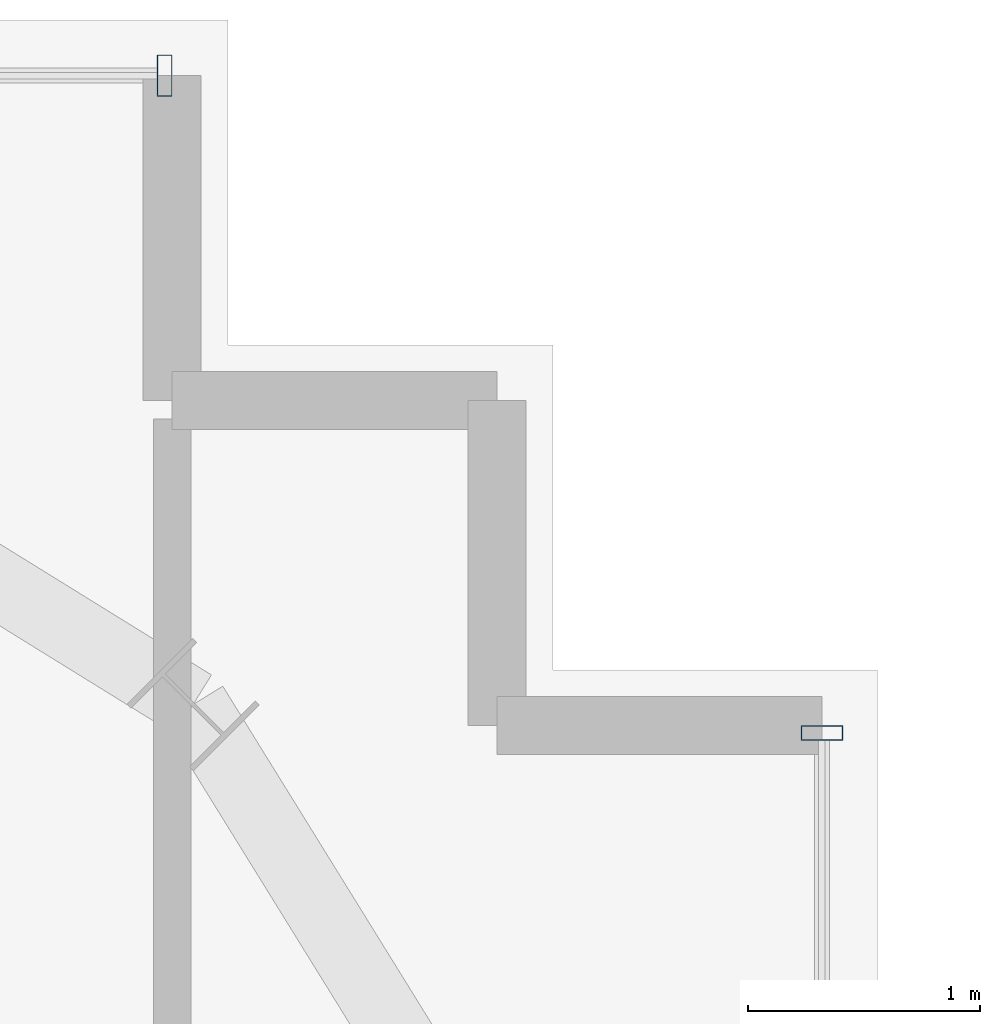
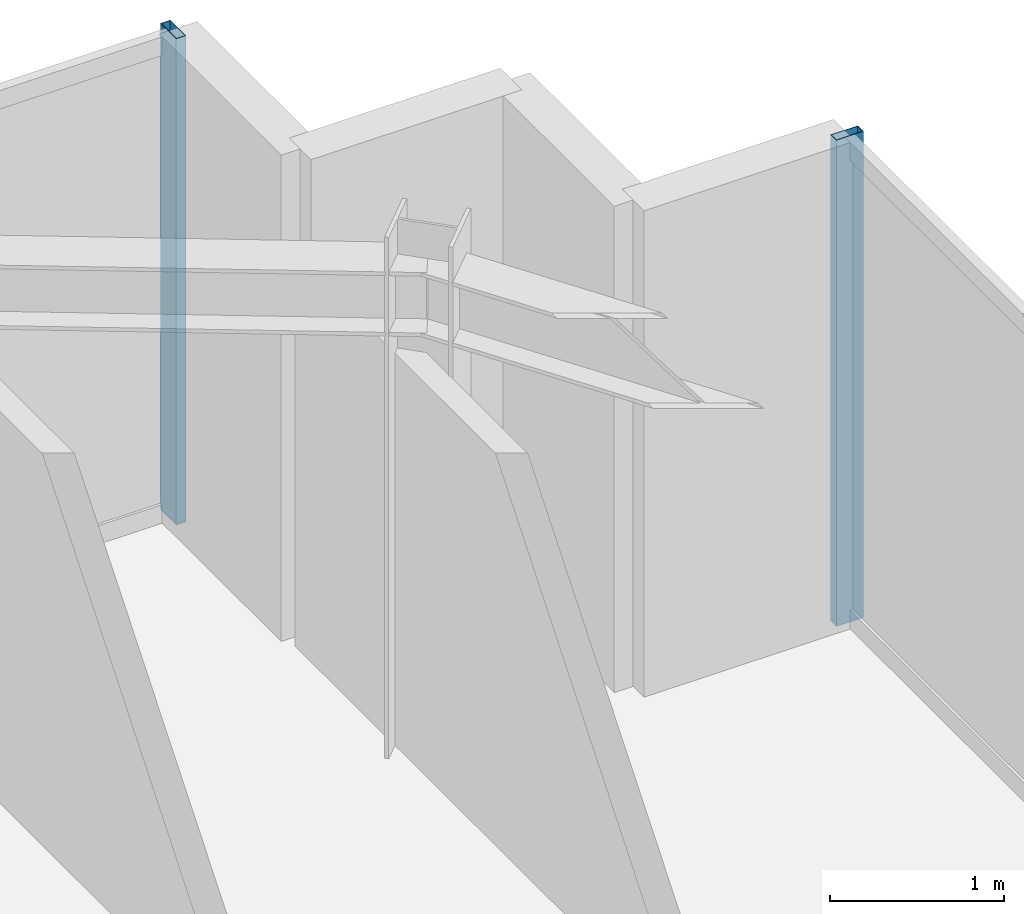
# One storey, part 28 of 36: 2 members, 2 elements without a shape of their own.
"""IFC4 building model written with IfcOpenShell, lengths in metres."""

from ifc_helpers import new_model, si_unit, direction, frame, origin, origin_2d, place, context, subcontext, project, spatial, hollow_rectangle, extrude, source, transform, mapped, material, material_profile, profile_set, type_object, element, aggregate, save


model = new_model("IFC4")

# Units and contexts
model_context = context("Model", 3, precision=1e-05, world=origin(), true_north=direction((0.0, 1.0)))
body_context = subcontext(model_context, "Body", "Model", "MODEL_VIEW")
ifc_project = project(units=[si_unit("LENGTHUNIT", "METRE"), si_unit("AREAUNIT", "SQUARE_METRE"), si_unit("VOLUMEUNIT", "CUBIC_METRE"), si_unit("PLANEANGLEUNIT", "RADIAN"), si_unit("MASSUNIT", "GRAM", prefix="KILO")], contexts=[model_context])

# Site, building, storey
site_placement = place(None, origin())
site = spatial("IfcSite", under=ifc_project, at=site_placement, CompositionType="ELEMENT")
building_placement = place(site_placement, origin())
building = spatial("IfcBuilding", under=site, at=building_placement, Name="Nahalor Promenade Grand Hotel", CompositionType="ELEMENT")
storey_placement = place(building_placement, frame((0.0, 0.0, 223.39990234375)))
storey = spatial("IfcBuildingStorey", under=building, at=storey_placement, Name="L57", CompositionType="ELEMENT", Elevation=223.39990234375)

# Curtain wall, member
ifc_material = material(Name="Anodised Bronze Aluminium EN AW-6063 T6", Category="aluminium")
curtain_wall_type = type_object("IfcCurtainWallType", Name="CW2 Typical Hotel Flush Bronze Unitised Curtain Wall", PredefinedType="USERDEFINED", material=ifc_material)
curtain_wall_1_placement = place(storey_placement, origin())
curtain_wall_1 = element("IfcCurtainWall", 1, at=curtain_wall_1_placement, inside=storey, type_object=curtain_wall_type, Name="L57 Curtain Wall CW-L57-N-1", ObjectType="UNITISED_CURTAIN_WALL", PredefinedType="USERDEFINED")
ifc_material_profile = material_profile(ifc_material, hollow_rectangle(XDim=0.065, YDim=0.18, WallThickness=0.004, at=origin_2d()), Name="CWM 65x180x4")
ifc_profile_set = profile_set([ifc_material_profile], Name="Anodised Bronze Aluminium EN AW-6063 T6")
member_type = type_object("IfcMemberType", Name="CWM2 Typical Bronze Mullion 65x180", PredefinedType="MULLION", material=ifc_profile_set)
shared_shape = source(origin(), body_context, "Body", "SweptSolid", [
    extrude(hollow_rectangle(XDim=0.065, YDim=0.18, WallThickness=0.004, at=origin_2d()), origin(), (0.0, 0.0, 1.0), 3.41015625),
])
member_1_placement = place(storey_placement, frame((21.12744140625, 23.9599609375, 0.0), z_axis=(0.0, 0.0, 1.0), x_axis=(1.0, 0.0, 0.0)))
member_1 = element("IfcMember", 2, at=member_1_placement, type_object=member_type, Name="CW-L57-N-1 Mullion 4", PredefinedType="MULLION", context=body_context, shape_type="MappedRepresentation", body=[
    mapped(shared_shape, transform((0.0, 0.0, 0.0), scale=1.0)),
])
aggregate(curtain_wall_1, [member_1])

curtain_wall_2_placement = place(storey_placement, origin())
curtain_wall_2 = element("IfcCurtainWall", 3, at=curtain_wall_2_placement, inside=storey, type_object=curtain_wall_type, Name="L57 Curtain Wall CW-L57-E-3", ObjectType="UNITISED_CURTAIN_WALL", PredefinedType="USERDEFINED")
member_2_placement = place(storey_placement, frame((23.9599609375, 21.12744140625, 0.0), z_axis=(0.0, 0.0, 1.0), x_axis=(0.0, 1.0, 0.0)))
member_2 = element("IfcMember", 4, at=member_2_placement, type_object=member_type, Name="CW-L57-E-3 Mullion 1", PredefinedType="MULLION", context=body_context, shape_type="MappedRepresentation", body=[
    mapped(shared_shape, transform((0.0, 0.0, 0.0), scale=1.0)),
])
aggregate(curtain_wall_2, [member_2])

save(model, "model.ifc")
